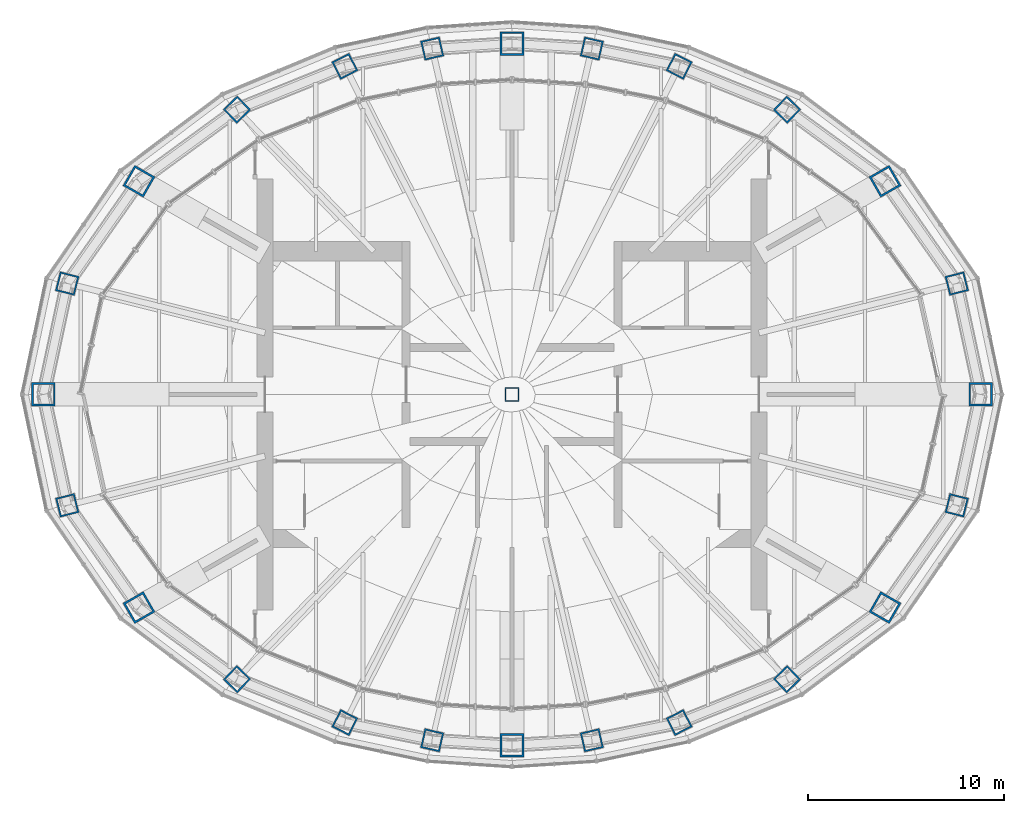
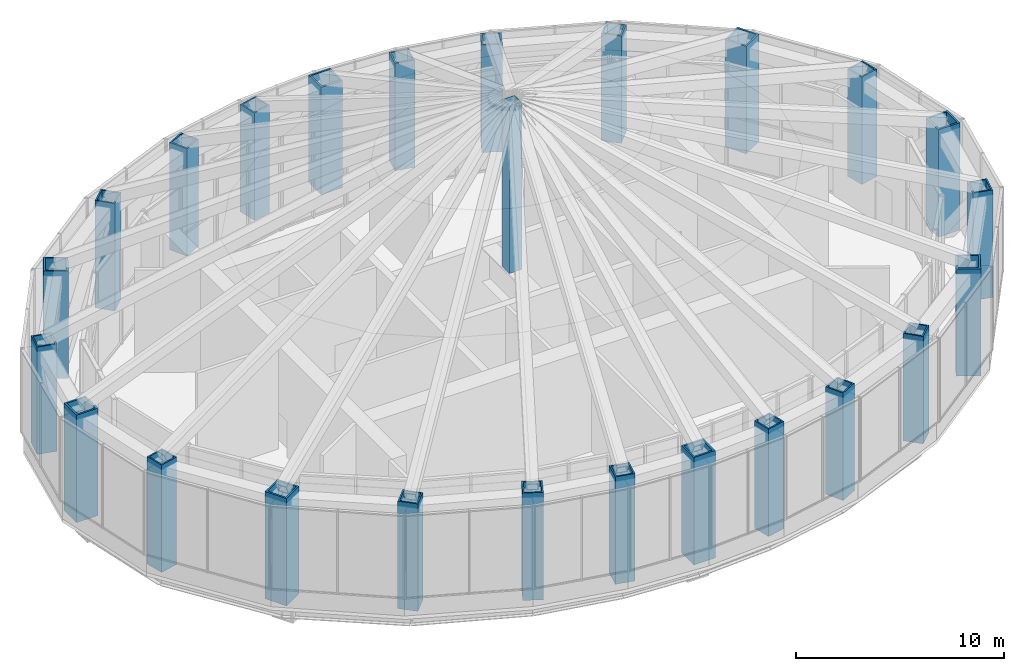
# One storey, part 1 of 21: 25 columns.
"""IFC4 building model written with IfcOpenShell, lengths in metres."""

from ifc_helpers import new_model, si_unit, direction, frame, origin, origin_2d, place, context, subcontext, project, spatial, rectangle, hollow_rectangle, extrude, material, material_profile, profile_set, type_object, element, save


model = new_model("IFC4")

# Units and contexts
model_context = context("Model", 3, precision=1e-05, world=origin(), true_north=direction((0.0, 1.0)))
body_context = subcontext(model_context, "Body", "Model", "MODEL_VIEW")
ifc_project = project(units=[si_unit("LENGTHUNIT", "METRE"), si_unit("AREAUNIT", "SQUARE_METRE"), si_unit("VOLUMEUNIT", "CUBIC_METRE"), si_unit("PLANEANGLEUNIT", "RADIAN"), si_unit("MASSUNIT", "GRAM", prefix="KILO")], contexts=[model_context])

# Site, building, storey
site_placement = place(None, origin())
site = spatial("IfcSite", under=ifc_project, at=site_placement, CompositionType="ELEMENT")
building_placement = place(site_placement, origin())
building = spatial("IfcBuilding", under=site, at=building_placement, Name="Lantaw Convention Tower", CompositionType="ELEMENT")
storey_placement = place(building_placement, frame((0.0, 0.0, 290.39990234375)))
storey = spatial("IfcBuildingStorey", under=building, at=storey_placement, Name="L67", CompositionType="ELEMENT", Elevation=290.39990234375)

# Columns
ifc_material_1 = material(Name="Steel ASTM A572 Grade 50", Category="steel")
ifc_material_profile_1 = material_profile(ifc_material_1, hollow_rectangle(XDim=1.0, YDim=1.0, WallThickness=0.080078125, at=origin_2d()), Name="BOX1000X80")
ifc_material_2 = material(Name="Concrete C60/75", Category="concrete")
ifc_material_profile_2 = material_profile(ifc_material_2, rectangle(XDim=0.840087890625, YDim=0.840087890625, at=origin_2d()), Name="Concrete fill of BOX1000X80")
ifc_profile_set_1 = profile_set([ifc_material_profile_1, ifc_material_profile_2], Name="Steel ASTM A572 Grade 50")
column_type_1 = type_object("IfcColumnType", Name="Column PC BOX1000X80", PredefinedType="COLUMN", material=ifc_profile_set_1)
for number, where, z_axis, x_axis, name in (
    (1, (22.68701171875, 5.656494140625, 0.0), (0.0, 0.0, 1.0), (0.970295726276, 0.2419218956, 0.0), "Perimeter column P2"),
    (2, (14.027587890625, 14.526123046875, 0.0), (0.0, 0.0, 1.0), (0.694658370459, 0.719339800339, 0.0), "Perimeter column P4"),
    (3, (8.5283203125, 16.73779296875, 0.0), (0.0, 0.0, 1.0), (0.45399049974, 0.891006524188, 0.0), "Perimeter column P5"),
    (4, (4.072998046875, 17.642333984375, 0.0), (0.0, 0.0, 1.0), (0.224951054344, 0.974370064785, 0.0), "Perimeter column P6"),
    (5, (-4.072998046875, 17.642333984375, 0.0), (0.0, 0.0, 1.0), (0.974370064785, 0.224951054344, 0.0), "Perimeter column P8"),
    (6, (-8.5283203125, 16.73779296875, 0.0), (0.0, 0.0, 1.0), (0.891006524188, 0.45399049974, 0.0), "Perimeter column P9"),
    (7, (-14.027587890625, 14.526123046875, 0.0), (0.0, 0.0, 1.0), (0.719339800339, 0.694658370459, 0.0), "Perimeter column P10"),
    (8, (-22.68701171875, 5.656494140625, 0.0), (0.0, 0.0, 1.0), (0.2419218956, 0.970295726276, 0.0), "Perimeter column P12"),
    (9, (-22.68701171875, -5.656494140625, 0.0), (0.0, 0.0, 1.0), (0.970295726276, 0.2419218956, 0.0), "Perimeter column P14"),
    (10, (-14.027587890625, -14.526123046875, 0.0), (0.0, 0.0, 1.0), (0.694658370459, 0.719339800339, 0.0), "Perimeter column P16"),
    (11, (-8.5283203125, -16.73779296875, 0.0), (0.0, 0.0, 1.0), (0.45399049974, 0.891006524188, 0.0), "Perimeter column P17"),
    (12, (-4.072998046875, -17.642333984375, 0.0), (0.0, 0.0, 1.0), (0.224951054344, 0.974370064785, 0.0), "Perimeter column P18"),
    (13, (4.072998046875, -17.642333984375, 0.0), (0.0, 0.0, 1.0), (0.974370064785, 0.224951054344, 0.0), "Perimeter column P20"),
    (14, (8.5283203125, -16.73779296875, 0.0), (0.0, 0.0, 1.0), (0.891006524188, 0.45399049974, 0.0), "Perimeter column P21"),
    (15, (14.027587890625, -14.526123046875, 0.0), (0.0, 0.0, 1.0), (0.719339800339, 0.694658370459, 0.0), "Perimeter column P22"),
    (16, (22.68701171875, -5.656494140625, 0.0), (0.0, 0.0, 1.0), (0.2419218956, 0.970295726276, 0.0), "Perimeter column P24"),
):
    element("IfcColumn", number, at=place(storey_placement, frame(where, z_axis=z_axis, x_axis=x_axis)), inside=storey, type_object=column_type_1, Name=name, PredefinedType="COLUMN", context=body_context, shape_type="SweptSolid", body=[
        extrude(hollow_rectangle(XDim=1.0, YDim=1.0, WallThickness=0.080078125, at=origin_2d()), origin(), (0.0, 0.0, 1.0), 6.300048828125),
    ])
ifc_material_3 = material(Name="Steel EN 10025-3 S460N", Category="steel")
ifc_material_profile_3 = material_profile(ifc_material_3, hollow_rectangle(XDim=1.199951171875, YDim=1.199951171875, WallThickness=0.10009765625, at=origin_2d()), Name="BOX1200X100")
ifc_material_profile_4 = material_profile(ifc_material_2, rectangle(XDim=1.0, YDim=1.0, at=origin_2d()), Name="Concrete fill of BOX1200X100")
ifc_profile_set_2 = profile_set([ifc_material_profile_3, ifc_material_profile_4], Name="Steel EN 10025-3 S460N")
column_type_2 = type_object("IfcColumnType", Name="Column PC BOX1200X100", PredefinedType="COLUMN", material=ifc_profile_set_2)
for number, where, z_axis, x_axis, name in (
    (17, (23.89990234375, 0.0, 0.0), (0.0, 0.0, 1.0), (1.0, 0.0, 0.0), "Perimeter column P1"),
    (18, (19.02685546875, 10.87255859375, 0.0), (0.0, 0.0, 1.0), (0.86824298017, 0.496139221777, 0.0), "Perimeter column P3"),
    (19, (0.0, 17.89990234375, 0.0), (0.0, 0.0, 1.0), (1.0, 0.0, 0.0), "Perimeter column P7"),
    (20, (-19.02685546875, 10.87255859375, 0.0), (0.0, 0.0, 1.0), (0.496139221777, 0.86824298017, 0.0), "Perimeter column P11"),
    (21, (-23.89990234375, 0.0, 0.0), (0.0, 0.0, 1.0), (1.0, 0.0, 0.0), "Perimeter column P13"),
    (22, (-19.02685546875, -10.87255859375, 0.0), (0.0, 0.0, 1.0), (0.86824298017, 0.496139221777, 0.0), "Perimeter column P15"),
    (23, (0.0, -17.89990234375, 0.0), (0.0, 0.0, 1.0), (1.0, 0.0, 0.0), "Perimeter column P19"),
    (24, (19.02685546875, -10.87255859375, 0.0), (0.0, 0.0, 1.0), (0.496139221777, 0.86824298017, 0.0), "Perimeter column P23"),
):
    element("IfcColumn", number, at=place(storey_placement, frame(where, z_axis=z_axis, x_axis=x_axis)), inside=storey, type_object=column_type_2, Name=name, PredefinedType="COLUMN", context=body_context, shape_type="SweptSolid", body=[
        extrude(hollow_rectangle(XDim=1.199951171875, YDim=1.199951171875, WallThickness=0.10009765625, at=origin_2d()), origin(), (0.0, 0.0, 1.0), 6.300048828125),
    ])
ifc_material_profile_5 = material_profile(ifc_material_1, hollow_rectangle(XDim=0.699951171875, YDim=0.699951171875, WallThickness=0.0400390625, at=origin_2d()), Name="BOX700X40")
ifc_profile_set_3 = profile_set([ifc_material_profile_5], Name="Steel ASTM A572 Grade 50")
column_type_3 = type_object("IfcColumnType", Name="Column crown mast BOX700X40", PredefinedType="COLUMN", material=ifc_profile_set_3)
column_placement = place(storey_placement, frame((0.0, 0.0, 6.0), z_axis=(0.0, 0.0, 1.0), x_axis=(1.0, 0.0, 0.0)))
element("IfcColumn", 25, at=column_placement, inside=storey, type_object=column_type_3, Name="Crown mast", PredefinedType="COLUMN", context=body_context, shape_type="SweptSolid", body=[
    extrude(hollow_rectangle(XDim=0.699951171875, YDim=0.699951171875, WallThickness=0.0400390625, at=origin_2d()), origin(), (0.0, 0.0, 1.0), 9.800048828125),
])

save(model, "model.ifc")
